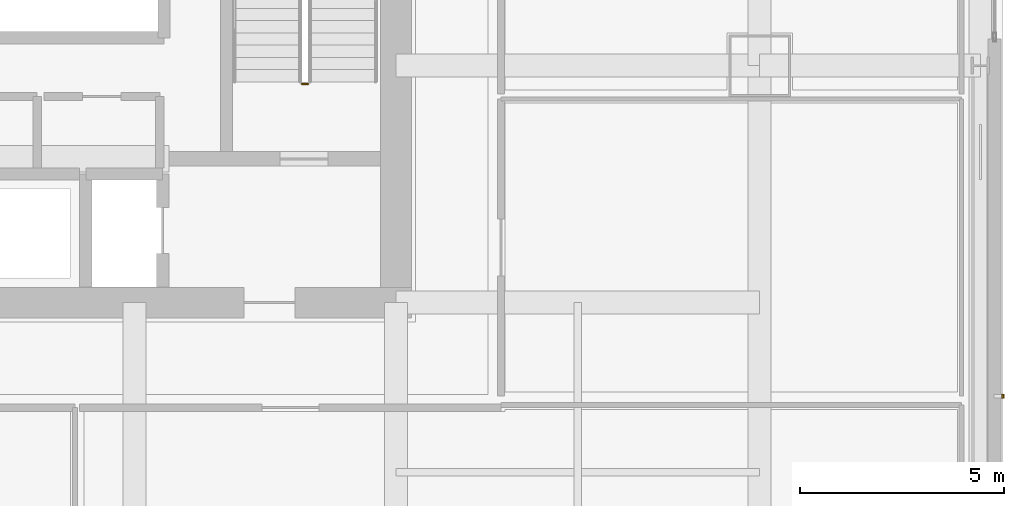
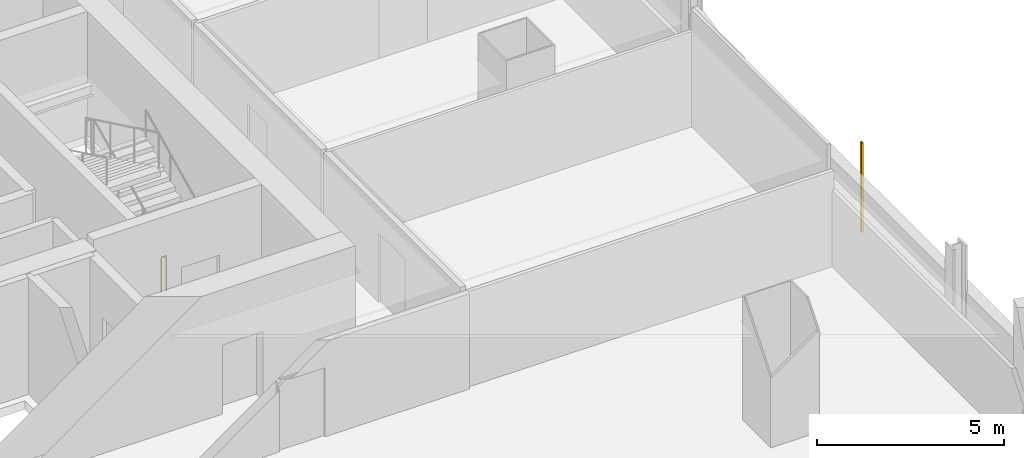
# One storey, part 23 of 27: 1 railing, 1 shading device.
"""IFC4 building model written with IfcOpenShell, lengths in metres."""

from ifc_helpers import new_model, si_unit, direction, frame, origin, origin_2d, place, context, subcontext, project, spatial, hollow_rectangle, circle, extrude, material, material_profile, profile_set, type_object, element, save


model = new_model("IFC4")

# Units and contexts
model_context = context("Model", 3, precision=1e-05, world=origin(), true_north=direction((0.0, 1.0)))
body_context = subcontext(model_context, "Body", "Model", "MODEL_VIEW")
ifc_project = project(units=[si_unit("LENGTHUNIT", "METRE"), si_unit("AREAUNIT", "SQUARE_METRE"), si_unit("VOLUMEUNIT", "CUBIC_METRE"), si_unit("PLANEANGLEUNIT", "RADIAN"), si_unit("MASSUNIT", "GRAM", prefix="KILO")], contexts=[model_context])

# Site, building, storey
site_placement = place(None, origin())
site = spatial("IfcSite", under=ifc_project, at=site_placement, CompositionType="ELEMENT")
building_placement = place(site_placement, origin())
building = spatial("IfcBuilding", under=site, at=building_placement, Name="Punatoya Terracotta Tower", CompositionType="ELEMENT")
storey_placement = place(building_placement, frame((0.0, 0.0, 60.60009765625)))
storey = spatial("IfcBuildingStorey", under=building, at=storey_placement, Name="L13", CompositionType="ELEMENT", Elevation=60.60009765625)

# Railing
ifc_material_1 = material(Name="Steel S355", Category="steel")
railing_type = type_object("IfcRailingType", Name="RLG-GRD-1150", PredefinedType="GUARDRAIL", material=ifc_material_1)
railing_placement = place(storey_placement, frame((8.050048828125, -3.85009765625, 0.0)))
element("IfcRailing", 1, at=railing_placement, inside=storey, type_object=railing_type, Name="L13 ST-2 stair guard 4", PredefinedType="GUARDRAIL", context=body_context, shape_type="SweptSolid", body=[
    extrude(circle(Radius=0.02392578125, at=origin_2d()), frame((0.0, 0.0, 1.1259765625), z_axis=(-1.0, 0.0, 0.0), x_axis=(0.0, -1.0, 0.0)), (0.0, 0.0, 1.0), 0.150146484375),
    extrude(circle(Radius=0.02099609375, at=origin_2d()), origin(), (0.0, 0.0, 1.0), 1.101806640625),
    extrude(circle(Radius=0.02099609375, at=origin_2d()), frame((-0.150146484375, 0.0, 0.0)), (0.0, 0.0, 1.0), 1.101806640625),
])

# Shading device
ifc_material_2 = material(Name="Architectural Fired Terracotta", Category="masonry")
ifc_material_profile = material_profile(ifc_material_2, hollow_rectangle(XDim=0.06005859375, YDim=0.090087890625, WallThickness=0.013916015625, at=origin_2d()))
ifc_profile_set = profile_set([ifc_material_profile], Name="Architectural Fired Terracotta")
shading_device_type = type_object("IfcShadingDeviceType", Name="SHD-JALI-90", PredefinedType="JALOUSIE", material=ifc_profile_set)
shading_device_placement = place(storey_placement, frame((25.050048828125, -11.493408203125, 0.599853515625), z_axis=(0.0, 0.0, 1.0), x_axis=(1.0, 0.0, 0.0)))
element("IfcShadingDevice", 2, at=shading_device_placement, inside=storey, type_object=shading_device_type, Name="L13 Braced Bay Terracotta Jali Fin E1", PredefinedType="JALOUSIE", context=body_context, shape_type="SweptSolid", body=[
    extrude(hollow_rectangle(XDim=0.06005859375, YDim=0.090087890625, WallThickness=0.013916015625, at=origin_2d()), origin(), (0.0, 0.0, 1.0), 2.91015625),
])

save(model, "model.ifc")
